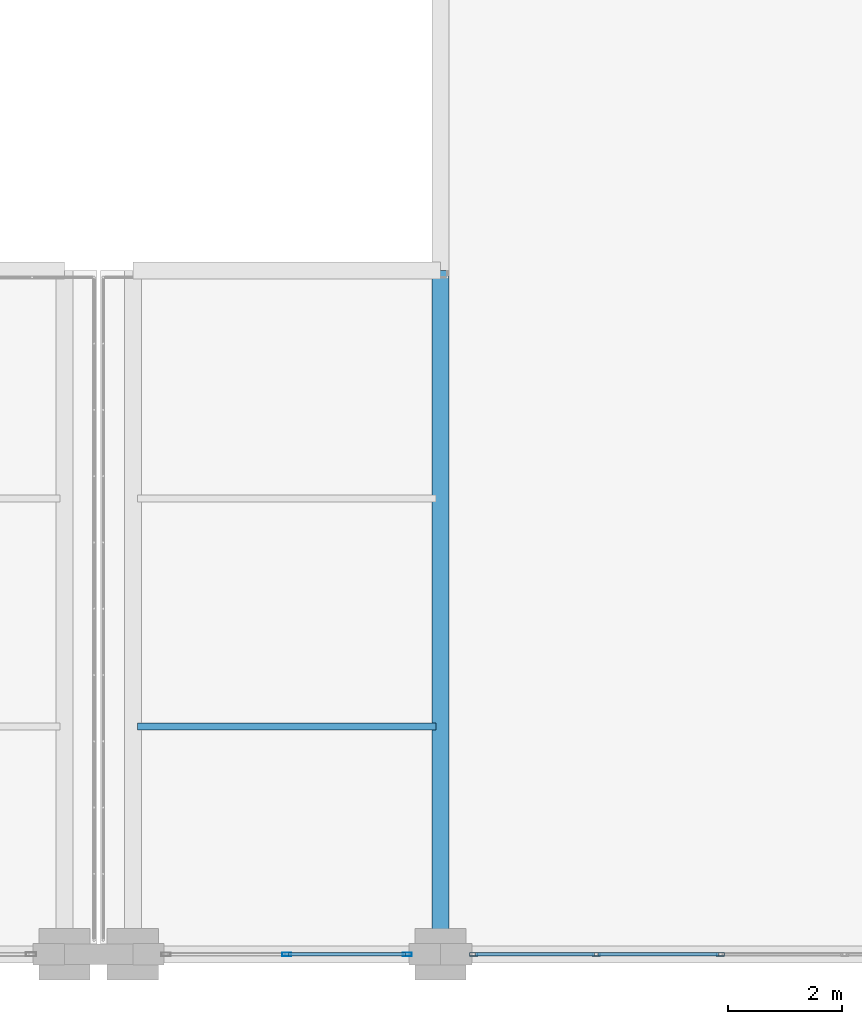
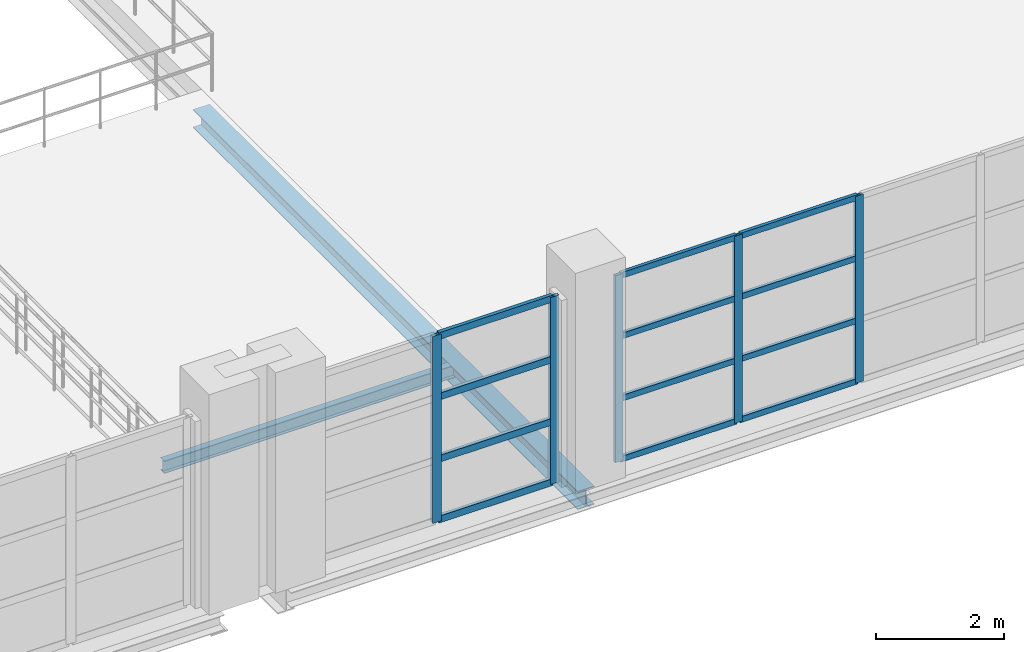
# One storey, part 70 of 158: 17 members, 2 beams, 2 elements without a shape of their own.
"""IFC4 building model written with IfcOpenShell, lengths in metres."""

from ifc_helpers import new_model, si_unit, direction, frame, origin, origin_2d, place, context, subcontext, project, spatial, hollow_rectangle, i_section, extrude, material, layer, layer_set, material_profile, profile_set, type_object, element, aggregate, save


model = new_model("IFC4")

# Units and contexts
model_context = context("Model", 3, precision=1e-05, world=origin(), true_north=direction((0.0, 1.0)))
body_context = subcontext(model_context, "Body", "Model", "MODEL_VIEW")
ifc_project = project(units=[si_unit("LENGTHUNIT", "METRE"), si_unit("AREAUNIT", "SQUARE_METRE"), si_unit("VOLUMEUNIT", "CUBIC_METRE"), si_unit("PLANEANGLEUNIT", "RADIAN"), si_unit("MASSUNIT", "GRAM", prefix="KILO")], contexts=[model_context])

# Site, building, storey
site_placement = place(None, origin())
site = spatial("IfcSite", under=ifc_project, at=site_placement, CompositionType="ELEMENT")
building_placement = place(site_placement, origin())
building = spatial("IfcBuilding", under=site, at=building_placement, Name="Zilviju Railside Exhibition Hall", CompositionType="ELEMENT")
storey_placement = place(building_placement, frame((0.0, 0.0, 4.199951171875)))
storey = spatial("IfcBuildingStorey", under=building, at=storey_placement, Name="L02", CompositionType="ELEMENT", Elevation=4.199951171875)

# Beams
ifc_material_1 = material(Name="Steel S355J2", Category="steel")
ifc_material_profile_1 = material_profile(ifc_material_1, i_section(OverallWidth=0.300048828125, OverallDepth=0.35009765625, WebThickness=0.010009765625, FlangeThickness=0.017578125, at=origin_2d()), Name="HEA 360")
ifc_profile_set_1 = profile_set([ifc_material_profile_1], Name="Steel S355J2")
beam_type_1 = type_object("IfcBeamType", Name="BM-HEA360", PredefinedType="BEAM", material=ifc_profile_set_1)
beam_1_placement = place(storey_placement, frame((180.0, 0.0, -0.5048828125), z_axis=(0.0, 1.0, 0.0), x_axis=(-1.0, 0.0, 0.0)))
element("IfcBeam", 1, at=beam_1_placement, inside=storey, type_object=beam_type_1, Name="Transverse Girder L02 X=180.0 (0.0..12.0)", PredefinedType="BEAM", context=body_context, shape_type="SweptSolid", body=[
    extrude(i_section(OverallWidth=0.300048828125, OverallDepth=0.35009765625, WebThickness=0.010009765625, FlangeThickness=0.017578125, at=origin_2d()), origin(), (0.0, 0.0, 1.0), 12.0),
])
ifc_material_profile_2 = material_profile(ifc_material_1, i_section(OverallWidth=0.1201171875, OverallDepth=0.239990234375, WebThickness=0.006103515625, FlangeThickness=0.009765625, at=origin_2d()), Name="IPE 240")
ifc_profile_set_2 = profile_set([ifc_material_profile_2], Name="Steel S355J2")
beam_type_2 = type_object("IfcBeamType", Name="BM-IPE240", PredefinedType="JOIST", material=ifc_profile_set_2)
beam_2_placement = place(storey_placement, frame((174.679931640625, 4.0, -0.449951171875), z_axis=(1.0, 0.0, 0.0), x_axis=(0.0, 1.0, 0.0)))
element("IfcBeam", 2, at=beam_2_placement, inside=storey, type_object=beam_type_2, Name="Composite Floor Joist L02 Y=4.00 (174.6..180.0)", PredefinedType="JOIST", context=body_context, shape_type="SweptSolid", body=[
    extrude(i_section(OverallWidth=0.1201171875, OverallDepth=0.239990234375, WebThickness=0.006103515625, FlangeThickness=0.009765625, at=origin_2d()), origin(), (0.0, 0.0, 1.0), 5.239990234375),
])

# Curtain wall, members
ifc_material_2 = material(Name="Thermally broken aluminium-steel triple-glazed curtain wall", Category="steel")
ifc_layer_1 = layer(ifc_material_2, 0.179931640625)
ifc_layer_set_1 = layer_set([ifc_layer_1], Name="Thermally broken aluminium-steel triple-glazed curtain wall")
curtain_wall_type_1 = type_object("IfcCurtainWallType", Name="CW-BAY-15", PredefinedType="USERDEFINED", material=ifc_layer_set_1)
curtain_wall_1_placement = place(storey_placement, origin())
curtain_wall_1 = element("IfcCurtainWall", 3, at=curtain_wall_1_placement, inside=storey, type_object=curtain_wall_type_1, Name="South Hall Facade Curtain Wall L02 (180..192)", ObjectType="GLAZED CURTAIN WALL", PredefinedType="USERDEFINED")
ifc_material_3 = material(Name="Thermally broken anodized aluminium mullion", Category="aluminium")
ifc_material_profile_3 = material_profile(ifc_material_3, hollow_rectangle(XDim=0.06005859375, YDim=0.139892578125, WallThickness=0.0048828125, at=origin_2d()), Name="MULLION 140x60x5")
ifc_profile_set_3 = profile_set([ifc_material_profile_3], Name="Thermally broken anodized aluminium mullion")
member_type_1 = type_object("IfcMemberType", Name="CWM-60x140", PredefinedType="MULLION", material=ifc_profile_set_3)
member_1_placement = place(storey_placement, frame((184.909912109375, 0.0, 0.0), z_axis=(0.0, 0.0, 1.0), x_axis=(0.0, -1.0, 0.0)))
member_1 = element("IfcMember", 4, at=member_1_placement, type_object=member_type_1, Name="CW-15 mullion 4", PredefinedType="MULLION", context=body_context, shape_type="SweptSolid", body=[
    extrude(hollow_rectangle(XDim=0.06005859375, YDim=0.139892578125, WallThickness=0.0048828125, at=origin_2d()), origin(), (0.0, 0.0, 1.0), 3.56005859375),
])
member_2_placement = place(storey_placement, frame((182.72998046875, 0.0, 0.0), z_axis=(0.0, 0.0, 1.0), x_axis=(0.0, -1.0, 0.0)))
member_2 = element("IfcMember", 5, at=member_2_placement, type_object=member_type_1, Name="CW-15 mullion 5", PredefinedType="MULLION", context=body_context, shape_type="SweptSolid", body=[
    extrude(hollow_rectangle(XDim=0.06005859375, YDim=0.139892578125, WallThickness=0.0048828125, at=origin_2d()), origin(), (0.0, 0.0, 1.0), 3.56005859375),
])
member_3_placement = place(storey_placement, frame((180.580078125, 0.0, 0.0), z_axis=(0.0, 0.0, 1.0), x_axis=(0.0, -1.0, 0.0)))
member_3 = element("IfcMember", 6, at=member_3_placement, type_object=member_type_1, Name="CW-15 mullion 6", PredefinedType="MULLION", context=body_context, shape_type="SweptSolid", body=[
    extrude(hollow_rectangle(XDim=0.06005859375, YDim=0.139892578125, WallThickness=0.0048828125, at=origin_2d()), origin(), (0.0, 0.0, 1.0), 3.56005859375),
])

ifc_layer_2 = layer(ifc_material_2, 0.179931640625)
ifc_layer_set_2 = layer_set([ifc_layer_2], Name="Thermally broken aluminium-steel triple-glazed curtain wall")
curtain_wall_type_2 = type_object("IfcCurtainWallType", Name="CW-BAY-14", PredefinedType="USERDEFINED", material=ifc_layer_set_2)
curtain_wall_2_placement = place(storey_placement, origin())
curtain_wall_2 = element("IfcCurtainWall", 7, at=curtain_wall_2_placement, inside=storey, type_object=curtain_wall_type_2, Name="South Hall Facade Curtain Wall L02 (175..180)", ObjectType="GLAZED CURTAIN WALL", PredefinedType="USERDEFINED")
ifc_material_profile_4 = material_profile(ifc_material_3, hollow_rectangle(XDim=0.06494140625, YDim=0.159912109375, WallThickness=0.0048828125, at=origin_2d()), Name="MULLION 160x65x5")
ifc_profile_set_4 = profile_set([ifc_material_profile_4], Name="Thermally broken anodized aluminium mullion")
member_type_2 = type_object("IfcMemberType", Name="CWM-65x160", PredefinedType="MULLION", material=ifc_profile_set_4)
member_4_placement = place(storey_placement, frame((179.41748046875, 0.0, 0.0), z_axis=(0.0, 0.0, 1.0), x_axis=(0.0, -1.0, 0.0)))
member_4 = element("IfcMember", 8, at=member_4_placement, type_object=member_type_2, Name="CW-14 mullion 1", PredefinedType="MULLION", context=body_context, shape_type="SweptSolid", body=[
    extrude(hollow_rectangle(XDim=0.06494140625, YDim=0.159912109375, WallThickness=0.0048828125, at=origin_2d()), origin(), (0.0, 0.0, 1.0), 3.56005859375),
])
member_5_placement = place(storey_placement, frame((177.300048828125, 0.0, 0.0), z_axis=(0.0, 0.0, 1.0), x_axis=(0.0, -1.0, 0.0)))
member_5 = element("IfcMember", 9, at=member_5_placement, type_object=member_type_2, Name="CW-14 mullion 2", PredefinedType="MULLION", context=body_context, shape_type="SweptSolid", body=[
    extrude(hollow_rectangle(XDim=0.06494140625, YDim=0.159912109375, WallThickness=0.0048828125, at=origin_2d()), origin(), (0.0, 0.0, 1.0), 3.56005859375),
])

# Member
ifc_material_4 = material(Name="Thermally broken anodized aluminium transom", Category="aluminium")
ifc_material_profile_5 = material_profile(ifc_material_4, hollow_rectangle(XDim=0.06005859375, YDim=0.110107421875, WallThickness=0.0048828125, at=origin_2d()), Name="TRANSOM 110x60x5")
ifc_profile_set_5 = profile_set([ifc_material_profile_5], Name="Thermally broken anodized aluminium transom")
member_type_3 = type_object("IfcMemberType", Name="CWT-60x110", PredefinedType="USERDEFINED", material=ifc_profile_set_5)
member_6_placement = place(storey_placement, frame((184.8798828125, 0.0, 0.030029296875), z_axis=(-1.0, 0.0, 0.0), x_axis=(0.0, -1.0, 0.0)))
member_6 = element("IfcMember", 10, at=member_6_placement, type_object=member_type_3, Name="CW-15 transom 4.1", ObjectType="TRANSOM", PredefinedType="USERDEFINED", context=body_context, shape_type="SweptSolid", body=[
    extrude(hollow_rectangle(XDim=0.06005859375, YDim=0.110107421875, WallThickness=0.0048828125, at=origin_2d()), origin(), (0.0, 0.0, 1.0), 2.119873046875),
])

member_7_placement = place(storey_placement, frame((184.8798828125, 0.0, 1.18701171875), z_axis=(-1.0, 0.0, 0.0), x_axis=(0.0, -1.0, 0.0)))
member_7 = element("IfcMember", 11, at=member_7_placement, type_object=member_type_3, Name="CW-15 transom 4.2", ObjectType="TRANSOM", PredefinedType="USERDEFINED", context=body_context, shape_type="SweptSolid", body=[
    extrude(hollow_rectangle(XDim=0.06005859375, YDim=0.110107421875, WallThickness=0.0048828125, at=origin_2d()), origin(), (0.0, 0.0, 1.0), 2.119873046875),
])

member_8_placement = place(storey_placement, frame((184.8798828125, 0.0, 2.373046875), z_axis=(-1.0, 0.0, 0.0), x_axis=(0.0, -1.0, 0.0)))
member_8 = element("IfcMember", 12, at=member_8_placement, type_object=member_type_3, Name="CW-15 transom 4.3", ObjectType="TRANSOM", PredefinedType="USERDEFINED", context=body_context, shape_type="SweptSolid", body=[
    extrude(hollow_rectangle(XDim=0.06005859375, YDim=0.110107421875, WallThickness=0.0048828125, at=origin_2d()), origin(), (0.0, 0.0, 1.0), 2.119873046875),
])

member_9_placement = place(storey_placement, frame((184.8798828125, 0.0, 3.530029296875), z_axis=(-1.0, 0.0, 0.0), x_axis=(0.0, -1.0, 0.0)))
member_9 = element("IfcMember", 13, at=member_9_placement, type_object=member_type_3, Name="CW-15 transom 4.4", ObjectType="TRANSOM", PredefinedType="USERDEFINED", context=body_context, shape_type="SweptSolid", body=[
    extrude(hollow_rectangle(XDim=0.06005859375, YDim=0.110107421875, WallThickness=0.0048828125, at=origin_2d()), origin(), (0.0, 0.0, 1.0), 2.119873046875),
])

member_10_placement = place(storey_placement, frame((182.699951171875, 0.0, 0.030029296875), z_axis=(-1.0, 0.0, 0.0), x_axis=(0.0, -1.0, 0.0)))
member_10 = element("IfcMember", 14, at=member_10_placement, type_object=member_type_3, Name="CW-15 transom 5.1", ObjectType="TRANSOM", PredefinedType="USERDEFINED", context=body_context, shape_type="SweptSolid", body=[
    extrude(hollow_rectangle(XDim=0.06005859375, YDim=0.110107421875, WallThickness=0.0048828125, at=origin_2d()), origin(), (0.0, 0.0, 1.0), 2.08984375),
])

member_11_placement = place(storey_placement, frame((182.699951171875, 0.0, 1.18701171875), z_axis=(-1.0, 0.0, 0.0), x_axis=(0.0, -1.0, 0.0)))
member_11 = element("IfcMember", 15, at=member_11_placement, type_object=member_type_3, Name="CW-15 transom 5.2", ObjectType="TRANSOM", PredefinedType="USERDEFINED", context=body_context, shape_type="SweptSolid", body=[
    extrude(hollow_rectangle(XDim=0.06005859375, YDim=0.110107421875, WallThickness=0.0048828125, at=origin_2d()), origin(), (0.0, 0.0, 1.0), 2.08984375),
])

member_12_placement = place(storey_placement, frame((182.699951171875, 0.0, 2.373046875), z_axis=(-1.0, 0.0, 0.0), x_axis=(0.0, -1.0, 0.0)))
member_12 = element("IfcMember", 16, at=member_12_placement, type_object=member_type_3, Name="CW-15 transom 5.3", ObjectType="TRANSOM", PredefinedType="USERDEFINED", context=body_context, shape_type="SweptSolid", body=[
    extrude(hollow_rectangle(XDim=0.06005859375, YDim=0.110107421875, WallThickness=0.0048828125, at=origin_2d()), origin(), (0.0, 0.0, 1.0), 2.08984375),
])

member_13_placement = place(storey_placement, frame((182.699951171875, 0.0, 3.530029296875), z_axis=(-1.0, 0.0, 0.0), x_axis=(0.0, -1.0, 0.0)))
member_13 = element("IfcMember", 17, at=member_13_placement, type_object=member_type_3, Name="CW-15 transom 5.4", ObjectType="TRANSOM", PredefinedType="USERDEFINED", context=body_context, shape_type="SweptSolid", body=[
    extrude(hollow_rectangle(XDim=0.06005859375, YDim=0.110107421875, WallThickness=0.0048828125, at=origin_2d()), origin(), (0.0, 0.0, 1.0), 2.08984375),
])

aggregate(curtain_wall_1, [member_1, member_2, member_3, member_6, member_7, member_8, member_9, member_10, member_11, member_12, member_13])

ifc_material_profile_6 = material_profile(ifc_material_4, hollow_rectangle(XDim=0.06494140625, YDim=0.1298828125, WallThickness=0.0048828125, at=origin_2d()), Name="TRANSOM 130x65x5")
ifc_profile_set_6 = profile_set([ifc_material_profile_6], Name="Thermally broken anodized aluminium transom")
member_type_4 = type_object("IfcMemberType", Name="CWT-65x130", PredefinedType="USERDEFINED", material=ifc_profile_set_6)
member_14_placement = place(storey_placement, frame((179.385009765625, 0.0, 0.032470703125), z_axis=(-1.0, 0.0, 0.0), x_axis=(0.0, -1.0, 0.0)))
member_14 = element("IfcMember", 18, at=member_14_placement, type_object=member_type_4, Name="CW-14 transom 1.1", ObjectType="TRANSOM", PredefinedType="USERDEFINED", context=body_context, shape_type="SweptSolid", body=[
    extrude(hollow_rectangle(XDim=0.06494140625, YDim=0.1298828125, WallThickness=0.0048828125, at=origin_2d()), origin(), (0.0, 0.0, 1.0), 2.052490234375),
])

member_15_placement = place(storey_placement, frame((179.385009765625, 0.0, 1.18701171875), z_axis=(-1.0, 0.0, 0.0), x_axis=(0.0, -1.0, 0.0)))
member_15 = element("IfcMember", 19, at=member_15_placement, type_object=member_type_4, Name="CW-14 transom 1.2", ObjectType="TRANSOM", PredefinedType="USERDEFINED", context=body_context, shape_type="SweptSolid", body=[
    extrude(hollow_rectangle(XDim=0.06494140625, YDim=0.1298828125, WallThickness=0.0048828125, at=origin_2d()), origin(), (0.0, 0.0, 1.0), 2.052490234375),
])

member_16_placement = place(storey_placement, frame((179.385009765625, 0.0, 2.373046875), z_axis=(-1.0, 0.0, 0.0), x_axis=(0.0, -1.0, 0.0)))
member_16 = element("IfcMember", 20, at=member_16_placement, type_object=member_type_4, Name="CW-14 transom 1.3", ObjectType="TRANSOM", PredefinedType="USERDEFINED", context=body_context, shape_type="SweptSolid", body=[
    extrude(hollow_rectangle(XDim=0.06494140625, YDim=0.1298828125, WallThickness=0.0048828125, at=origin_2d()), origin(), (0.0, 0.0, 1.0), 2.052490234375),
])

member_17_placement = place(storey_placement, frame((179.385009765625, 0.0, 3.527587890625), z_axis=(-1.0, 0.0, 0.0), x_axis=(0.0, -1.0, 0.0)))
member_17 = element("IfcMember", 21, at=member_17_placement, type_object=member_type_4, Name="CW-14 transom 1.4", ObjectType="TRANSOM", PredefinedType="USERDEFINED", context=body_context, shape_type="SweptSolid", body=[
    extrude(hollow_rectangle(XDim=0.06494140625, YDim=0.1298828125, WallThickness=0.0048828125, at=origin_2d()), origin(), (0.0, 0.0, 1.0), 2.052490234375),
])

aggregate(curtain_wall_2, [member_4, member_5, member_14, member_15, member_16, member_17])

save(model, "model.ifc")
